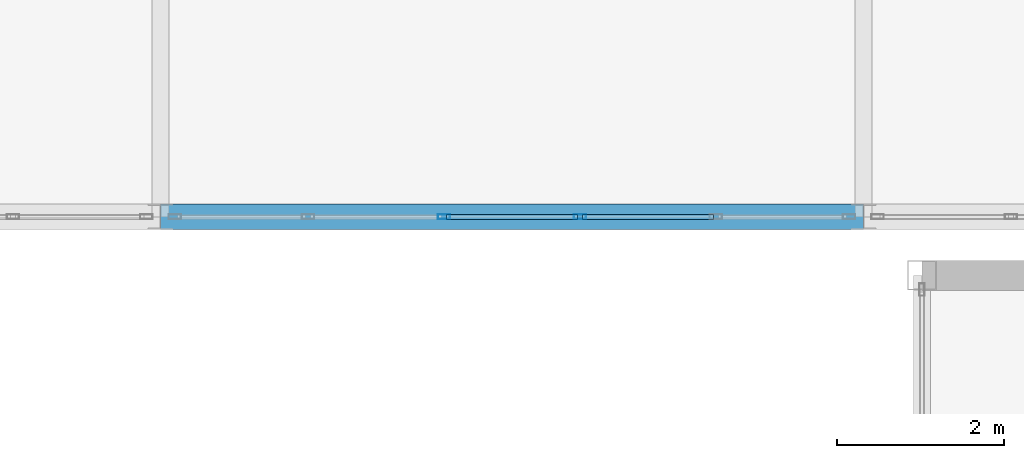
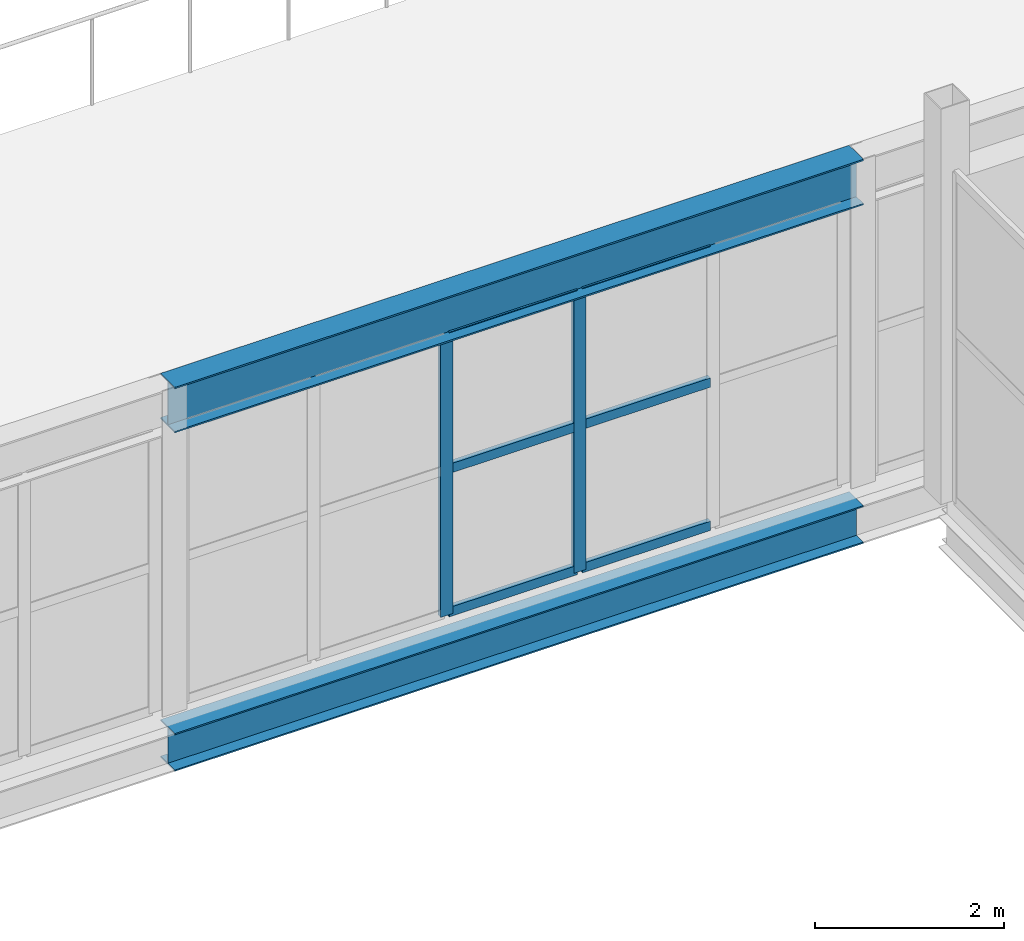
# One storey, part 139 of 218: 8 members, 2 beams, 1 element without a shape of its own.
"""IFC4 building model written with IfcOpenShell, lengths in metres."""

from ifc_helpers import new_model, si_unit, direction, frame, origin, origin_2d, place, context, subcontext, project, spatial, hollow_rectangle, i_section, extrude, material, material_profile, profile_set, type_object, element, aggregate, save


model = new_model("IFC4")

# Units and contexts
model_context = context("Model", 3, precision=1e-05, world=origin(), true_north=direction((0.0, 1.0)))
body_context = subcontext(model_context, "Body", "Model", "MODEL_VIEW")
ifc_project = project(units=[si_unit("LENGTHUNIT", "METRE"), si_unit("AREAUNIT", "SQUARE_METRE"), si_unit("VOLUMEUNIT", "CUBIC_METRE"), si_unit("PLANEANGLEUNIT", "RADIAN"), si_unit("MASSUNIT", "GRAM", prefix="KILO")], contexts=[model_context])

# Site, building, storey
site_placement = place(None, origin())
site = spatial("IfcSite", under=ifc_project, at=site_placement, CompositionType="ELEMENT")
building_placement = place(site_placement, origin())
building = spatial("IfcBuilding", under=site, at=building_placement, Name="Kazenagashi Tramway Depot", CompositionType="ELEMENT")
storey_placement = place(building_placement, frame((0.0, 0.0, 6.0)))
storey = spatial("IfcBuildingStorey", under=building, at=storey_placement, Name="L02", CompositionType="ELEMENT", Elevation=6.0)

# Curtain wall, members
ifc_material_1 = material(Name="Anodised Aluminium and Low-E Glazing", Category="aluminium")
curtain_wall_type = type_object("IfcCurtainWallType", Name="CW-11", PredefinedType="USERDEFINED", material=ifc_material_1)
curtain_wall_placement = place(storey_placement, origin())
curtain_wall = element("IfcCurtainWall", 1, at=curtain_wall_placement, inside=storey, type_object=curtain_wall_type, Name="Industrial Glazed Screen CW-11 CW-0040", ObjectType="GLAZED SCREEN", PredefinedType="USERDEFINED")
ifc_material_2 = material(Name="Anodised Aluminium", Category="aluminium")
ifc_material_profile_1 = material_profile(ifc_material_2, hollow_rectangle(XDim=0.06, YDim=0.15, WallThickness=0.004, at=origin_2d()), Name="RHS-150x60x4")
ifc_profile_set_1 = profile_set([ifc_material_profile_1], Name="Anodised Aluminium")
member_type_1 = type_object("IfcMemberType", Name="ML-01", PredefinedType="MULLION", material=ifc_profile_set_1)
member_1_placement = place(storey_placement, frame((140.588, 70.0, 0.0), z_axis=(0.0, 0.0, 1.0), x_axis=(0.0, 1.0, 0.0)))
member_1 = element("IfcMember", 2, at=member_1_placement, type_object=member_type_1, Name="CW-11 mullion 3", PredefinedType="MULLION", context=body_context, shape_type="SweptSolid", body=[
    extrude(hollow_rectangle(XDim=0.06, YDim=0.15, WallThickness=0.004, at=origin_2d()), origin(), (0.0, 0.0, 1.0), 3.612),
])
member_2_placement = place(storey_placement, frame((142.212, 70.0, 0.0), z_axis=(0.0, 0.0, 1.0), x_axis=(0.0, 1.0, 0.0)))
member_2 = element("IfcMember", 3, at=member_2_placement, type_object=member_type_1, Name="CW-11 mullion 4", PredefinedType="MULLION", context=body_context, shape_type="SweptSolid", body=[
    extrude(hollow_rectangle(XDim=0.06, YDim=0.15, WallThickness=0.004, at=origin_2d()), origin(), (0.0, 0.0, 1.0), 3.612),
])

# Beams
ifc_material_3 = material(Name="Steel SN490B", Category="steel")
ifc_material_profile_2 = material_profile(ifc_material_3, i_section(OverallWidth=0.3, OverallDepth=0.588, WebThickness=0.012, FlangeThickness=0.02, at=origin_2d()), Name="H-588x300x12x20")
ifc_profile_set_2 = profile_set([ifc_material_profile_2], Name="Steel SN490B")
beam_type_1 = type_object("IfcBeamType", Name="SP-01", PredefinedType="SPANDREL", material=ifc_profile_set_2)
beam_1_placement = place(storey_placement, frame((137.2, 70.0, 3.906), z_axis=(1.0, 0.0, 0.0), x_axis=(0.0, 1.0, 0.0)))
element("IfcBeam", 4, at=beam_1_placement, inside=storey, type_object=beam_type_1, Name="Beam SP-01 BM-1855", PredefinedType="SPANDREL", context=body_context, shape_type="SweptSolid", body=[
    extrude(i_section(OverallWidth=0.3, OverallDepth=0.588, WebThickness=0.012, FlangeThickness=0.02, at=origin_2d()), origin(), (0.0, 0.0, 1.0), 8.4),
])
ifc_material_profile_3 = material_profile(ifc_material_3, i_section(OverallWidth=0.3, OverallDepth=0.488, WebThickness=0.011, FlangeThickness=0.018, at=origin_2d()), Name="H-488x300x11x18")
ifc_profile_set_3 = profile_set([ifc_material_profile_3], Name="Steel SN490B")
beam_type_2 = type_object("IfcBeamType", Name="SP-02", PredefinedType="SPANDREL", material=ifc_profile_set_3)
beam_2_placement = place(storey_placement, frame((137.2, 70.0, -0.509), z_axis=(1.0, 0.0, 0.0), x_axis=(0.0, 1.0, 0.0)))
element("IfcBeam", 5, at=beam_2_placement, inside=storey, type_object=beam_type_2, Name="Beam SP-02 BM-1712", PredefinedType="SPANDREL", context=body_context, shape_type="SweptSolid", body=[
    extrude(i_section(OverallWidth=0.3, OverallDepth=0.488, WebThickness=0.011, FlangeThickness=0.018, at=origin_2d()), origin(), (0.0, 0.0, 1.0), 8.4),
])

# Member
ifc_material_profile_4 = material_profile(ifc_material_2, hollow_rectangle(XDim=0.06, YDim=0.12, WallThickness=0.004, at=origin_2d()), Name="RHS-120x60x4")
ifc_profile_set_4 = profile_set([ifc_material_profile_4], Name="Anodised Aluminium")
member_type_2 = type_object("IfcMemberType", Name="TR-01", PredefinedType="USERDEFINED", material=ifc_profile_set_4)
member_3_placement = place(storey_placement, frame((140.618, 70.0, 0.03), z_axis=(1.0, 0.0, 0.0), x_axis=(0.0, 1.0, 0.0)))
member_3 = element("IfcMember", 6, at=member_3_placement, type_object=member_type_2, Name="CW-11 transom 3.1", ObjectType="TRANSOM", PredefinedType="USERDEFINED", context=body_context, shape_type="SweptSolid", body=[
    extrude(hollow_rectangle(XDim=0.06, YDim=0.12, WallThickness=0.004, at=origin_2d()), origin(), (0.0, 0.0, 1.0), 1.564),
])

member_4_placement = place(storey_placement, frame((140.618, 70.0, 1.878), z_axis=(1.0, 0.0, 0.0), x_axis=(0.0, 1.0, 0.0)))
member_4 = element("IfcMember", 7, at=member_4_placement, type_object=member_type_2, Name="CW-11 transom 3.2", ObjectType="TRANSOM", PredefinedType="USERDEFINED", context=body_context, shape_type="SweptSolid", body=[
    extrude(hollow_rectangle(XDim=0.06, YDim=0.12, WallThickness=0.004, at=origin_2d()), origin(), (0.0, 0.0, 1.0), 1.564),
])

member_5_placement = place(storey_placement, frame((140.618, 70.0, 3.582), z_axis=(1.0, 0.0, 0.0), x_axis=(0.0, 1.0, 0.0)))
member_5 = element("IfcMember", 8, at=member_5_placement, type_object=member_type_2, Name="CW-11 transom 3.3", ObjectType="TRANSOM", PredefinedType="USERDEFINED", context=body_context, shape_type="SweptSolid", body=[
    extrude(hollow_rectangle(XDim=0.06, YDim=0.12, WallThickness=0.004, at=origin_2d()), origin(), (0.0, 0.0, 1.0), 1.564),
])

member_6_placement = place(storey_placement, frame((142.242, 70.0, 0.03), z_axis=(1.0, 0.0, 0.0), x_axis=(0.0, 1.0, 0.0)))
member_6 = element("IfcMember", 9, at=member_6_placement, type_object=member_type_2, Name="CW-11 transom 4.1", ObjectType="TRANSOM", PredefinedType="USERDEFINED", context=body_context, shape_type="SweptSolid", body=[
    extrude(hollow_rectangle(XDim=0.06, YDim=0.12, WallThickness=0.004, at=origin_2d()), origin(), (0.0, 0.0, 1.0), 1.564),
])

member_7_placement = place(storey_placement, frame((142.242, 70.0, 1.878), z_axis=(1.0, 0.0, 0.0), x_axis=(0.0, 1.0, 0.0)))
member_7 = element("IfcMember", 10, at=member_7_placement, type_object=member_type_2, Name="CW-11 transom 4.2", ObjectType="TRANSOM", PredefinedType="USERDEFINED", context=body_context, shape_type="SweptSolid", body=[
    extrude(hollow_rectangle(XDim=0.06, YDim=0.12, WallThickness=0.004, at=origin_2d()), origin(), (0.0, 0.0, 1.0), 1.564),
])

member_8_placement = place(storey_placement, frame((142.242, 70.0, 3.582), z_axis=(1.0, 0.0, 0.0), x_axis=(0.0, 1.0, 0.0)))
member_8 = element("IfcMember", 11, at=member_8_placement, type_object=member_type_2, Name="CW-11 transom 4.3", ObjectType="TRANSOM", PredefinedType="USERDEFINED", context=body_context, shape_type="SweptSolid", body=[
    extrude(hollow_rectangle(XDim=0.06, YDim=0.12, WallThickness=0.004, at=origin_2d()), origin(), (0.0, 0.0, 1.0), 1.564),
])

aggregate(curtain_wall, [member_1, member_2, member_3, member_4, member_5, member_6, member_7, member_8])

save(model, "model.ifc")
